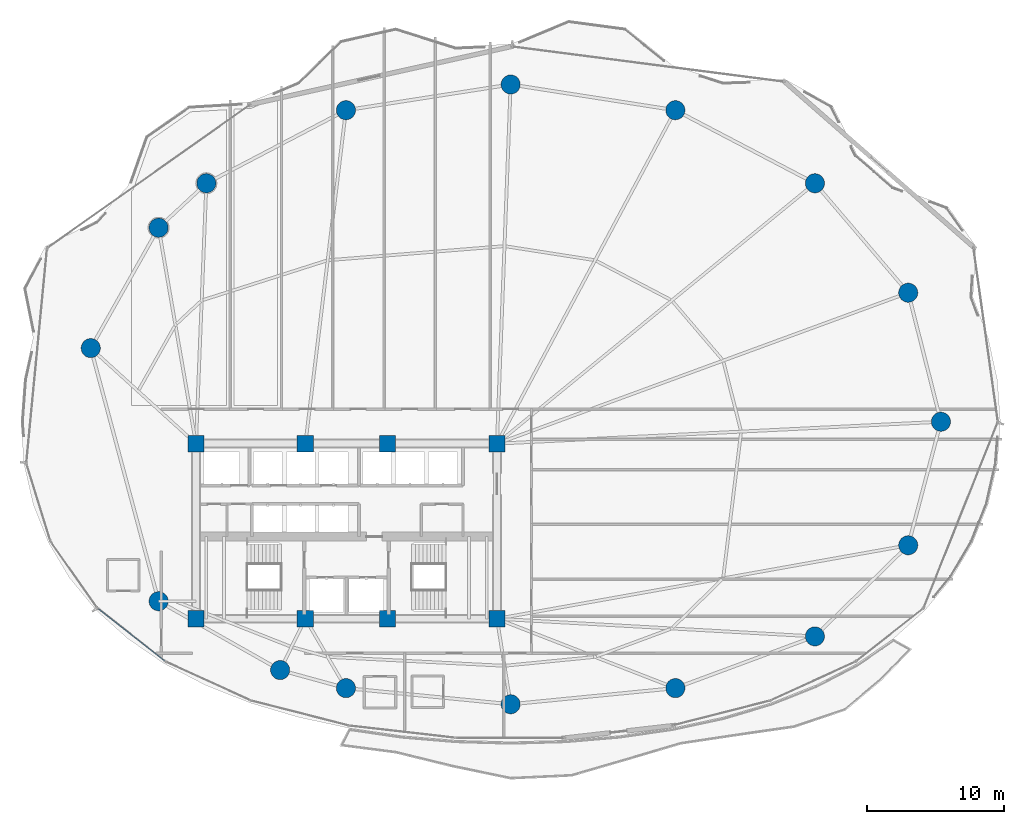
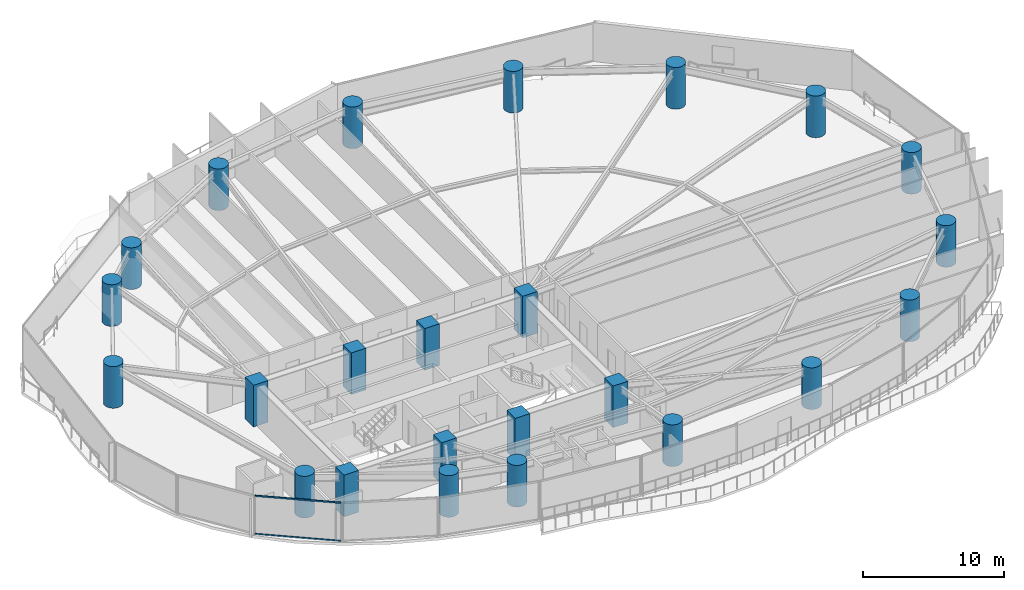
# One storey, part 1 of 32: 24 columns, 2 members, 1 element without a shape of its own.
"""IFC4 building model written with IfcOpenShell, lengths in metres."""

from ifc_helpers import new_model, si_unit, direction, frame, origin, origin_2d, place, context, subcontext, project, spatial, rectangle, hollow_rectangle, circle, extrude, material, layer, layer_set, material_profile, profile_set, type_object, element, aggregate, save


model = new_model("IFC4")

# Units and contexts
model_context = context("Model", 3, precision=1e-05, world=origin(), true_north=direction((0.0, 1.0)))
body_context = subcontext(model_context, "Body", "Model", "MODEL_VIEW")
ifc_project = project(units=[si_unit("LENGTHUNIT", "METRE"), si_unit("AREAUNIT", "SQUARE_METRE"), si_unit("VOLUMEUNIT", "CUBIC_METRE"), si_unit("PLANEANGLEUNIT", "RADIAN"), si_unit("MASSUNIT", "GRAM", prefix="KILO")], contexts=[model_context])

# Site, building, storey
site_placement = place(None, origin())
site = spatial("IfcSite", under=ifc_project, at=site_placement, CompositionType="ELEMENT")
building_placement = place(site_placement, origin())
building = spatial("IfcBuilding", under=site, at=building_placement, Name="Kazevale Care Tower and Concert Hall", CompositionType="ELEMENT")
storey_placement = place(building_placement, frame((0.0, 0.0, 34.800048828125)))
storey = spatial("IfcBuildingStorey", under=building, at=storey_placement, Name="L08", CompositionType="ELEMENT", Elevation=34.800048828125)

# Columns
ifc_material_1 = material(Name="Concrete C70", Category="concrete")
ifc_material_profile_1 = material_profile(ifc_material_1, rectangle(XDim=1.199951171875, YDim=1.199951171875, at=origin_2d()), Name="RC-SQ1200")
ifc_profile_set_1 = profile_set([ifc_material_profile_1], Name="Concrete C70")
column_type_1 = type_object("IfcColumnType", Name="Core Column SQ1200 C70", PredefinedType="COLUMN", material=ifc_profile_set_1)
for number, where, z_axis, x_axis, name in (
    (1, (22.0, 23.60009765625, 0.0), (0.0, 0.0, 1.0), (1.0, 0.0, 0.0), "col:L08:CC-01"),
    (2, (30.0, 23.60009765625, 0.0), (0.0, 0.0, 1.0), (1.0, 0.0, 0.0), "col:L08:CC-02"),
    (3, (36.0, 23.60009765625, 0.0), (0.0, 0.0, 1.0), (1.0, 0.0, 0.0), "col:L08:CC-03"),
    (4, (44.0, 23.60009765625, 0.0), (0.0, 0.0, 1.0), (1.0, 0.0, 0.0), "col:L08:CC-04"),
    (5, (44.0, 36.39990234375, 0.0), (0.0, 0.0, 1.0), (1.0, 0.0, 0.0), "col:L08:CC-05"),
    (6, (36.0, 36.39990234375, 0.0), (0.0, 0.0, 1.0), (1.0, 0.0, 0.0), "col:L08:CC-06"),
    (7, (30.0, 36.39990234375, 0.0), (0.0, 0.0, 1.0), (1.0, 0.0, 0.0), "col:L08:CC-07"),
    (8, (22.0, 36.39990234375, 0.0), (0.0, 0.0, 1.0), (1.0, 0.0, 0.0), "col:L08:CC-08"),
):
    element("IfcColumn", number, at=place(storey_placement, frame(where, z_axis=z_axis, x_axis=x_axis)), inside=storey, type_object=column_type_1, Name=name, PredefinedType="COLUMN", context=body_context, shape_type="SweptSolid", body=[
        extrude(rectangle(XDim=1.199951171875, YDim=1.199951171875, at=origin_2d()), origin(), (0.0, 0.0, 1.0), 3.599853515625),
    ])
ifc_material_profile_2 = material_profile(ifc_material_1, circle(Radius=0.699951171875, at=origin_2d()), Name="RC-CIR1400")
ifc_profile_set_2 = profile_set([ifc_material_profile_2], Name="Concrete C70")
column_type_2 = type_object("IfcColumnType", Name="Perimeter Column CIR1400 C70", PredefinedType="COLUMN", material=ifc_profile_set_2)
for number, where, z_axis, x_axis, name in (
    (9, (76.449951171875, 38.0, 0.0), (0.0, 0.0, 1.0), (1.0, 0.0, 0.0), "col:L08:PC-01"),
    (10, (74.06005859375, 47.429931640625, 0.0), (0.0, 0.0, 1.0), (1.0, 0.0, 0.0), "col:L08:PC-02"),
    (11, (67.239990234375, 55.429931640625, 0.0), (0.0, 0.0, 1.0), (1.0, 0.0, 0.0), "col:L08:PC-03"),
    (12, (57.0400390625, 60.77001953125, 0.0), (0.0, 0.0, 1.0), (1.0, 0.0, 0.0), "col:L08:PC-04"),
    (13, (45.0, 62.64990234375, 0.0), (0.0, 0.0, 1.0), (1.0, 0.0, 0.0), "col:L08:PC-05"),
    (14, (32.9599609375, 60.77001953125, 0.0), (0.0, 0.0, 1.0), (1.0, 0.0, 0.0), "col:L08:PC-06"),
    (15, (22.760009765625, 55.429931640625, 0.0), (0.0, 0.0, 1.0), (1.0, 0.0, 0.0), "col:L08:PC-07"),
    (16, (19.27001953125, 52.179931640625, 0.0), (0.0, 0.0, 1.0), (1.0, 0.0, 0.0), "col:L08:PC-08"),
    (17, (14.31005859375, 43.3798828125, 0.0), (0.0, 0.0, 1.0), (1.0, 0.0, 0.0), "col:L08:PC-09"),
    (18, (19.27001953125, 24.8798828125, 0.0), (0.0, 0.0, 1.0), (1.0, 0.0, 0.0), "col:L08:PC-10"),
    (19, (28.14990234375, 19.85009765625, 0.0), (0.0, 0.0, 1.0), (1.0, 0.0, 0.0), "col:L08:PC-11"),
    (20, (32.9599609375, 18.530029296875, 0.0), (0.0, 0.0, 1.0), (1.0, 0.0, 0.0), "col:L08:PC-12"),
    (21, (45.0, 17.35009765625, 0.0), (0.0, 0.0, 1.0), (1.0, 0.0, 0.0), "col:L08:PC-13"),
    (22, (57.0400390625, 18.530029296875, 0.0), (0.0, 0.0, 1.0), (1.0, 0.0, 0.0), "col:L08:PC-14"),
    (23, (67.239990234375, 22.31005859375, 0.0), (0.0, 0.0, 1.0), (1.0, 0.0, 0.0), "col:L08:PC-15"),
    (24, (74.06005859375, 28.969970703125, 0.0), (0.0, 0.0, 1.0), (1.0, 0.0, 0.0), "col:L08:PC-16"),
):
    element("IfcColumn", number, at=place(storey_placement, frame(where, z_axis=z_axis, x_axis=x_axis)), inside=storey, type_object=column_type_2, Name=name, PredefinedType="COLUMN", context=body_context, shape_type="SweptSolid", body=[
        extrude(circle(Radius=0.699951171875, at=origin_2d()), origin(), (0.0, 0.0, 1.0), 3.599853515625),
    ])

# Curtain wall, members
ifc_material_2 = material(Name="Aluminium 6063-T6 and Low-E Glass", Category="aluminium")
ifc_layer = layer(ifc_material_2, 0.179931640625)
ifc_layer_set = layer_set([ifc_layer], Name="Aluminium 6063-T6 and Low-E Glass")
curtain_wall_type = type_object("IfcCurtainWallType", Name="Sheltered Concave Balcony Curtain Wall CW-5", PredefinedType="NOTDEFINED", material=ifc_layer_set)
curtain_wall_placement = place(storey_placement, origin())
curtain_wall = element("IfcCurtainWall", 25, at=curtain_wall_placement, inside=storey, type_object=curtain_wall_type, Name="cw:L08:f10", PredefinedType="NOTDEFINED")
ifc_material_3 = material(Name="Aluminium 6063-T6", Category="aluminium")
ifc_material_profile_3 = material_profile(ifc_material_3, hollow_rectangle(XDim=0.074951171875, YDim=0.1201171875, WallThickness=0.00390625, at=origin_2d()), Name="ALU75x120x4")
ifc_profile_set_3 = profile_set([ifc_material_profile_3], Name="Aluminium 6063-T6")
member_type = type_object("IfcMemberType", Name="CW-5 Transom ALU75x120x4", PredefinedType="USERDEFINED", material=ifc_profile_set_3)
member_1_placement = place(storey_placement, frame((19.718994140625, 20.513427734375, 0.037353515625), z_axis=(-0.78633897536, 0.617795286344, 0.0), x_axis=(-0.617795286344, -0.78633897536, 0.0)))
member_1 = element("IfcMember", 26, at=member_1_placement, type_object=member_type, Name="CW-5 transom 1.1", ObjectType="TRANSOM", PredefinedType="USERDEFINED", context=body_context, shape_type="SweptSolid", body=[
    extrude(hollow_rectangle(XDim=0.074951171875, YDim=0.1201171875, WallThickness=0.00390625, at=origin_2d()), origin(), (0.0, 0.0, 1.0), 6.15771484375),
])
member_2_placement = place(storey_placement, frame((19.718994140625, 20.513427734375, 3.322509765625), z_axis=(-0.78633897536, 0.617795286344, 0.0), x_axis=(-0.617795286344, -0.78633897536, 0.0)))
member_2 = element("IfcMember", 27, at=member_2_placement, type_object=member_type, Name="CW-5 transom 1.2", ObjectType="TRANSOM", PredefinedType="USERDEFINED", context=body_context, shape_type="SweptSolid", body=[
    extrude(hollow_rectangle(XDim=0.074951171875, YDim=0.1201171875, WallThickness=0.00390625, at=origin_2d()), origin(), (0.0, 0.0, 1.0), 6.15771484375),
])
aggregate(curtain_wall, [member_1, member_2])

save(model, "model.ifc")
